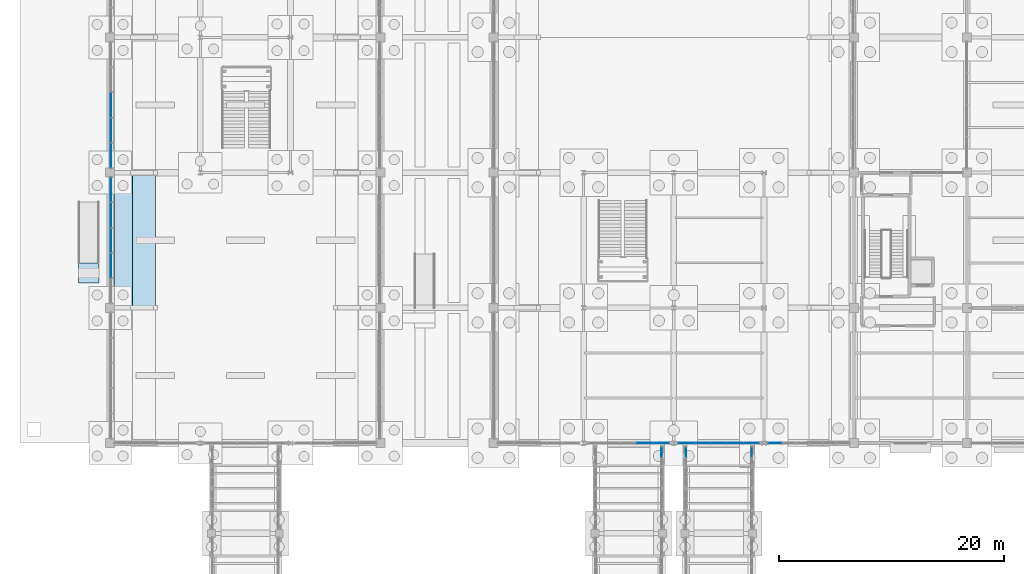
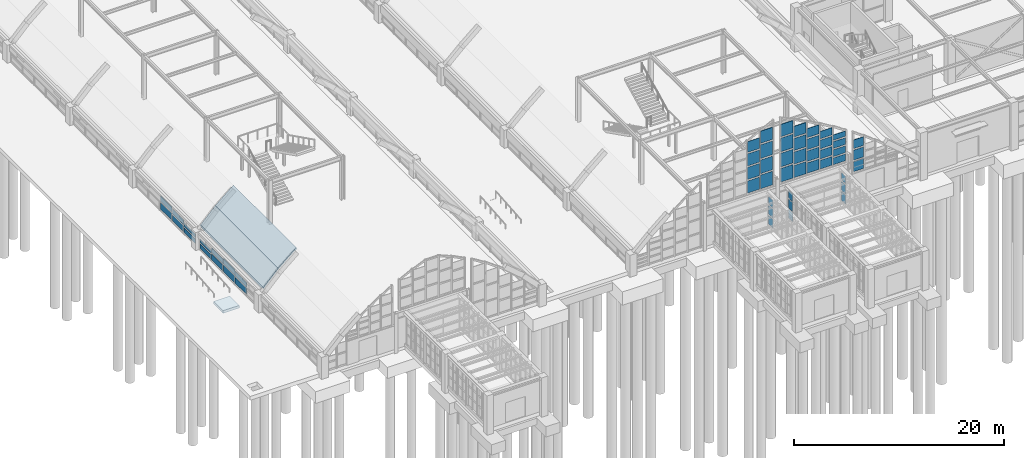
# One storey, part 83 of 129: 54 plates, 3 slabs, 9 elements without a shape of their own.
"""IFC4 building model written with IfcOpenShell, lengths in metres."""

import ifcopenshell
import ifcopenshell.guid

model = None  # the IFC model being written
_history = None  # IfcOwnerHistory: only IFC2X3 demands one
_inside = {}  # id of a spatial element -> (the spatial element, [elements in it])
_under = {}  # id of a project, library or spatial element -> (it, [spatial elements below it])
_declared = {}  # id of a project -> (the project, [libraries it declares])
_typed = {}  # id of a type object -> (the type object, [elements of that type])
_made_of = {}  # id of a material, layer set ... -> (it, [elements and type objects made of it])


def new_model(schema):
    """Start an empty IFC model of exactly this schema.

    Asked for "IFC4X3", IfcOpenShell would pick the latest addendum, in which some entities
    have other attributes; the version numbers below select the first issue.
    IFC2X3 requires an IfcOwnerHistory on every rooted entity: one is made here for all.
    """
    global model, _history
    if schema == "IFC4X3":
        model = ifcopenshell.file(schema_version=(4, 3, 0, 0))
    else:
        model = ifcopenshell.file(schema=schema)
    _inside.clear()
    _under.clear()
    _declared.clear()
    _typed.clear()
    _made_of.clear()
    _history = None
    if model.schema == "IFC2X3":
        org = make("IfcOrganization", Name="unknown")
        user = make(
            "IfcPersonAndOrganization",
            ThePerson=make("IfcPerson", FamilyName="unknown"),
            TheOrganization=org,
        )
        app = make(
            "IfcApplication",
            ApplicationDeveloper=org,
            Version="unknown",
            ApplicationFullName="unknown",
            ApplicationIdentifier="unknown",
        )
        _history = make(
            "IfcOwnerHistory",
            OwningUser=user,
            OwningApplication=app,
            ChangeAction="ADDED",
            CreationDate=0,
        )
    return model


def make(cls, **values):
    """One entity of the class cls with the attributes given. An attribute that is None is left unset."""
    return model.create_entity(
        cls, **{name: value for name, value in values.items() if value is not None}
    )


def rooted(cls, **values):
    """An entity with a GlobalId (a new one), such as an element, a storey or a relation."""
    return make(cls, GlobalId=ifcopenshell.guid.new(), OwnerHistory=_history, **values)


def si_unit(unit_type, name, prefix=None):
    """IfcSIUnit, for example si_unit("LENGTHUNIT", "METRE", prefix="MILLI")."""
    return make("IfcSIUnit", UnitType=unit_type, Prefix=prefix, Name=name)


def assignment(units):
    """IfcUnitAssignment: the units of a project."""
    return None if units is None else make("IfcUnitAssignment", Units=units)


def point(xyz):
    """IfcCartesianPoint."""
    return None if xyz is None else make("IfcCartesianPoint", Coordinates=xyz)


def direction(xyz):
    """IfcDirection."""
    return None if xyz is None else make("IfcDirection", DirectionRatios=xyz)


def frame(location, z_axis=None, x_axis=None):
    """IfcAxis2Placement3D, a coordinate frame: its origin and axes. An axis left out is left unset."""
    return make(
        "IfcAxis2Placement3D",
        Location=point(location),
        Axis=direction(z_axis),
        RefDirection=direction(x_axis),
    )


def frame_2d(location, x_axis=None):
    """IfcAxis2Placement2D, a coordinate frame in the plane: its origin and x axis."""
    return make(
        "IfcAxis2Placement2D", Location=point(location), RefDirection=direction(x_axis)
    )


def origin():
    """The frame at (0, 0, 0) with its axes left unset."""
    return frame((0.0, 0.0, 0.0))


def origin_2d():
    """The frame at (0, 0) in the plane with its x axis left unset."""
    return frame_2d((0.0, 0.0))


def place(relative_to, where):
    """IfcLocalPlacement: puts the frame where relative to a parent placement (None: the world)."""
    return make(
        "IfcLocalPlacement", PlacementRelTo=relative_to, RelativePlacement=where
    )


def context(
    kind, dimensions, precision=None, world=None, true_north=None, identifier=None
):
    """IfcGeometricRepresentationContext, for example the 3D "Model" context."""
    return make(
        "IfcGeometricRepresentationContext",
        ContextIdentifier=identifier,
        ContextType=kind,
        CoordinateSpaceDimension=dimensions,
        Precision=precision,
        WorldCoordinateSystem=world,
        TrueNorth=true_north,
    )


def subcontext(parent, identifier, kind, view, scale=None):
    """IfcGeometricRepresentationSubContext, for example "Body" below "Model"."""
    return make(
        "IfcGeometricRepresentationSubContext",
        ContextIdentifier=identifier,
        ContextType=kind,
        ParentContext=parent,
        TargetScale=scale,
        TargetView=view,
    )


def project(units=None, contexts=None):
    """IfcProject with its units and contexts."""
    return rooted(
        "IfcProject",
        Name="project",
        RepresentationContexts=contexts,
        UnitsInContext=assignment(units),
    )


def spatial(cls, under=None, at=None, **own):
    """A site, building, storey or space (cls), placed at a placement, below another one or the project."""
    s = rooted(cls, ObjectPlacement=at, **own)
    if under is not None:
        _under.setdefault(under.id(), (under, []))[1].append(s)
    return s


def polyline(points):
    """IfcPolyline through the points."""
    return make("IfcPolyline", Points=[point(p) for p in points])


def profile(cls, at=None, kind="AREA", **sizes):
    """A parametric profile (cls). Its sizes go by their IFC names, for example OverallWidth=200.0."""
    return make(cls, ProfileType=kind, Position=at, **sizes)


def rectangle(**sizes):
    """IfcRectangleProfileDef."""
    return profile("IfcRectangleProfileDef", **sizes)


def outline(outer, holes=None, kind="AREA"):
    """IfcArbitraryClosedProfileDef: a profile drawn as a closed curve; with holes, ...WithVoids."""
    if holes is None:
        return make("IfcArbitraryClosedProfileDef", ProfileType=kind, OuterCurve=outer)
    return make(
        "IfcArbitraryProfileDefWithVoids",
        ProfileType=kind,
        OuterCurve=outer,
        InnerCurves=holes,
    )


def extrude(swept, where, along, depth):
    """IfcExtrudedAreaSolid: the profile swept, set in the frame where, extruded along a direction by depth."""
    return make(
        "IfcExtrudedAreaSolid",
        SweptArea=swept,
        Position=where,
        ExtrudedDirection=direction(along),
        Depth=depth,
    )


def shape(context_of_items, identifier, shape_type, items):
    """IfcShapeRepresentation: the items that make up one representation, for example the "Body"."""
    return make(
        "IfcShapeRepresentation",
        ContextOfItems=context_of_items,
        RepresentationIdentifier=identifier,
        RepresentationType=shape_type,
        Items=items,
    )


def material(Name=None, Category=None):
    """IfcMaterial."""
    return make("IfcMaterial", Name=Name, Category=Category)


def layer(
    of_material, thickness, ventilated=None, Name=None, Category=None, Priority=None
):
    """IfcMaterialLayer: one layer of a wall or slab, of a material (None: an air gap)."""
    return make(
        "IfcMaterialLayer",
        Material=of_material,
        LayerThickness=thickness,
        IsVentilated=ventilated,
        Name=Name,
        Category=Category,
        Priority=Priority,
    )


def layer_set(layers, Name=None):
    """IfcMaterialLayerSet."""
    return make("IfcMaterialLayerSet", MaterialLayers=layers, LayerSetName=Name)


def made_of(thing, what):
    """Note that an element or type object is made of a material, layer set ...; save() writes the relation."""
    if what is not None:
        _made_of.setdefault(what.id(), (what, []))[1].append(thing)
    return thing


def type_object(cls, material=None, **own):
    """A type object (cls), such as IfcWallType, which elements share."""
    return made_of(rooted(cls, **own), material)


def element(
    cls,
    number,
    at=None,
    inside=None,
    cuts=None,
    type_object=None,
    material=None,
    context=None,
    identifier="Body",
    shape_type=None,
    held_by="IfcProductDefinitionShape",
    body=None,
    shapes=None,
    **own,
):
    """One element of the class cls, such as IfcWall. Its Tag is "e" and its number.

    at: its placement. inside: the storey or other place that contains it. cuts: it is an
    opening in that element (IfcRelVoidsElement). A single representation is given by context,
    identifier, shape_type and body (its items); several are given by shapes. held_by: the class
    of the entity that holds the representations. save() writes the other relations.
    """
    e = rooted(cls, Tag="e%d" % number, ObjectPlacement=at, **own)
    if body is not None:
        shapes = [shape(context, identifier, shape_type, body)]
    if shapes is not None:
        e.Representation = make(held_by, Representations=shapes)
    if inside is not None:
        _inside.setdefault(inside.id(), (inside, []))[1].append(e)
    if cuts is not None:
        rooted(
            "IfcRelVoidsElement", RelatingBuildingElement=cuts, RelatedOpeningElement=e
        )
    if type_object is not None:
        _typed.setdefault(type_object.id(), (type_object, []))[1].append(e)
    return made_of(e, material)


def aggregate(whole, parts):
    """IfcRelAggregates: a whole, such as a stair, and the parts it consists of."""
    return rooted("IfcRelAggregates", RelatingObject=whole, RelatedObjects=parts)


def save(model, path):
    """Write the relations noted so far, then the file.

    IfcRelAggregates (storeys below a building ...), IfcRelContainedInSpatialStructure (elements
    in a storey), IfcRelDefinesByType, IfcRelAssociatesMaterial and IfcRelDeclares: one each for
    every whole, place, type object, material and project.
    """
    for whole, parts in _under.values():
        aggregate(whole, parts)
    for where, things in _inside.values():
        rooted(
            "IfcRelContainedInSpatialStructure",
            RelatedElements=things,
            RelatingStructure=where,
        )
    for kind, things in _typed.values():
        rooted("IfcRelDefinesByType", RelatedObjects=things, RelatingType=kind)
    for what, things in _made_of.values():
        rooted("IfcRelAssociatesMaterial", RelatedObjects=things, RelatingMaterial=what)
    for by, libraries in _declared.values():
        rooted("IfcRelDeclares", RelatingContext=by, RelatedDefinitions=libraries)
    model.write(path)


model = new_model("IFC4")

# Units and contexts
model_context = context("Model", 3, precision=1e-05, world=origin(), true_north=direction((0.0, 1.0)))
body_context = subcontext(model_context, "Body", "Model", "MODEL_VIEW")
ifc_project = project(units=[si_unit("LENGTHUNIT", "METRE"), si_unit("AREAUNIT", "SQUARE_METRE"), si_unit("VOLUMEUNIT", "CUBIC_METRE"), si_unit("PLANEANGLEUNIT", "RADIAN"), si_unit("MASSUNIT", "GRAM", prefix="KILO")], contexts=[model_context])

# Site, building, storey
site_placement = place(None, origin())
site = spatial("IfcSite", under=ifc_project, at=site_placement, CompositionType="ELEMENT")
building_placement = place(site_placement, origin())
building = spatial("IfcBuilding", under=site, at=building_placement, Name="Sitalva Quay Ferry Terminal", CompositionType="ELEMENT")
storey_placement = place(building_placement, origin())
storey = spatial("IfcBuildingStorey", under=building, at=storey_placement, Name="L01", CompositionType="ELEMENT", Elevation=0.0)

# Curtain wall, plates
ifc_material_1 = material(Name="Anodised Aluminium & Low-E Glazing", Category="aluminium")
ifc_layer_1 = layer(ifc_material_1, 0.159912109375)
ifc_layer_set_1 = layer_set([ifc_layer_1], Name="Anodised Aluminium & Low-E Glazing")
curtain_wall_type_1 = type_object("IfcCurtainWallType", Name="CW_VaultArch_Glazed", PredefinedType="USERDEFINED", material=ifc_layer_set_1)
curtain_wall_1_placement = place(storey_placement, origin())
curtain_wall_1 = element("IfcCurtainWall", 1, at=curtain_wall_1_placement, inside=storey, type_object=curtain_wall_type_1, Name="V2-W shallow-arch base glazing (CW-L01-015)", ObjectType="CURTAIN_WALL", PredefinedType="USERDEFINED")
ifc_material_2 = material(Name="Clear Low-Iron Arch Glazing", Category="glass")
ifc_layer_2 = layer(ifc_material_2, 0.02587890625)
ifc_layer_set_2 = layer_set([ifc_layer_2], Name="Clear Low-Iron Arch Glazing")
plate_type_1 = type_object("IfcPlateType", Name="Panel_Arch_IGU_26", PredefinedType="CURTAIN_PANEL", material=ifc_layer_set_2)
plate_1_placement = place(storey_placement, frame((8.080078125, 21.760009765625, 0.1552734375), z_axis=(0.0, 0.0, 1.0), x_axis=(0.0, 1.0, 0.0)))
plate_1 = element("IfcPlate", 2, at=plate_1_placement, type_object=plate_type_1, Name="CW-L01-015-P1-0", PredefinedType="CURTAIN_PANEL", context=body_context, shape_type="SweptSolid", body=[
    extrude(rectangle(XDim=2.169921875, YDim=0.02587890625, at=origin_2d()), origin(), (0.0, 0.0, 1.0), 0.698486328125),
])
plate_2_placement = place(storey_placement, frame((8.080078125, 21.760009765625, 1.0087890625), z_axis=(0.0, 0.0, 1.0), x_axis=(0.0, 1.0, 0.0)))
plate_2 = element("IfcPlate", 3, at=plate_2_placement, type_object=plate_type_1, Name="CW-L01-015-P1-1", PredefinedType="CURTAIN_PANEL", context=body_context, shape_type="SweptSolid", body=[
    extrude(rectangle(XDim=2.169921875, YDim=0.02587890625, at=origin_2d()), origin(), (0.0, 0.0, 1.0), 0.543701171875),
])
plate_3_placement = place(storey_placement, frame((8.080078125, 24.0, 0.155029296875), z_axis=(0.0, 0.0, 1.0), x_axis=(0.0, 1.0, 0.0)))
plate_3 = element("IfcPlate", 4, at=plate_3_placement, type_object=plate_type_1, Name="CW-L01-015-P2-0", PredefinedType="CURTAIN_PANEL", context=body_context, shape_type="SweptSolid", body=[
    extrude(rectangle(XDim=2.169921875, YDim=0.02587890625, at=origin_2d()), origin(), (0.0, 0.0, 1.0), 0.775390625),
])
plate_4_placement = place(storey_placement, frame((8.080078125, 24.0, 1.08544921875), z_axis=(0.0, 0.0, 1.0), x_axis=(0.0, 1.0, 0.0)))
plate_4 = element("IfcPlate", 5, at=plate_4_placement, type_object=plate_type_1, Name="CW-L01-015-P2-1", PredefinedType="CURTAIN_PANEL", context=body_context, shape_type="SweptSolid", body=[
    extrude(rectangle(XDim=2.169921875, YDim=0.02587890625, at=origin_2d()), origin(), (0.0, 0.0, 1.0), 0.620361328125),
])
plate_5_placement = place(storey_placement, frame((8.080078125, 26.239990234375, 0.1552734375), z_axis=(0.0, 0.0, 1.0), x_axis=(0.0, 1.0, 0.0)))
plate_5 = element("IfcPlate", 6, at=plate_5_placement, type_object=plate_type_1, Name="CW-L01-015-P3-0", PredefinedType="CURTAIN_PANEL", context=body_context, shape_type="SweptSolid", body=[
    extrude(rectangle(XDim=2.169921875, YDim=0.02587890625, at=origin_2d()), origin(), (0.0, 0.0, 1.0), 0.698486328125),
])
plate_6_placement = place(storey_placement, frame((8.080078125, 26.239990234375, 1.0087890625), z_axis=(0.0, 0.0, 1.0), x_axis=(0.0, 1.0, 0.0)))
plate_6 = element("IfcPlate", 7, at=plate_6_placement, type_object=plate_type_1, Name="CW-L01-015-P3-1", PredefinedType="CURTAIN_PANEL", context=body_context, shape_type="SweptSolid", body=[
    extrude(rectangle(XDim=2.169921875, YDim=0.02587890625, at=origin_2d()), origin(), (0.0, 0.0, 1.0), 0.543701171875),
])
plate_7_placement = place(storey_placement, frame((8.080078125, 28.47998046875, 0.155029296875), z_axis=(0.0, 0.0, 1.0), x_axis=(0.0, 1.0, 0.0)))
plate_7 = element("IfcPlate", 8, at=plate_7_placement, type_object=plate_type_1, Name="CW-L01-015-P4-0", PredefinedType="CURTAIN_PANEL", context=body_context, shape_type="SweptSolid", body=[
    extrude(rectangle(XDim=2.169921875, YDim=0.02587890625, at=origin_2d()), origin(), (0.0, 0.0, 1.0), 0.544921875),
])
plate_8_placement = place(storey_placement, frame((8.080078125, 28.47998046875, 0.85498046875), z_axis=(0.0, 0.0, 1.0), x_axis=(0.0, 1.0, 0.0)))
plate_8 = element("IfcPlate", 9, at=plate_8_placement, type_object=plate_type_1, Name="CW-L01-015-P4-1", PredefinedType="CURTAIN_PANEL", context=body_context, shape_type="SweptSolid", body=[
    extrude(rectangle(XDim=2.169921875, YDim=0.02587890625, at=origin_2d()), origin(), (0.0, 0.0, 1.0), 0.389892578125),
])
aggregate(curtain_wall_1, [plate_1, plate_2, plate_3, plate_4, plate_5, plate_6, plate_7, plate_8])

curtain_wall_2_placement = place(storey_placement, origin())
curtain_wall_2 = element("IfcCurtainWall", 10, at=curtain_wall_2_placement, inside=storey, type_object=curtain_wall_type_1, Name="V2-W shallow-arch base glazing (CW-L01-018)", ObjectType="CURTAIN_WALL", PredefinedType="USERDEFINED")
plate_9_placement = place(storey_placement, frame((8.080078125, 31.52001953125, 0.155029296875), z_axis=(0.0, 0.0, 1.0), x_axis=(0.0, 1.0, 0.0)))
plate_9 = element("IfcPlate", 11, at=plate_9_placement, type_object=plate_type_1, Name="CW-L01-018-P0-0", PredefinedType="CURTAIN_PANEL", context=body_context, shape_type="SweptSolid", body=[
    extrude(rectangle(XDim=2.169921875, YDim=0.02587890625, at=origin_2d()), origin(), (0.0, 0.0, 1.0), 0.544921875),
])
plate_10_placement = place(storey_placement, frame((8.080078125, 31.52001953125, 0.85498046875), z_axis=(0.0, 0.0, 1.0), x_axis=(0.0, 1.0, 0.0)))
plate_10 = element("IfcPlate", 12, at=plate_10_placement, type_object=plate_type_1, Name="CW-L01-018-P0-1", PredefinedType="CURTAIN_PANEL", context=body_context, shape_type="SweptSolid", body=[
    extrude(rectangle(XDim=2.169921875, YDim=0.02587890625, at=origin_2d()), origin(), (0.0, 0.0, 1.0), 0.389892578125),
])
plate_11_placement = place(storey_placement, frame((8.080078125, 33.760009765625, 0.1552734375), z_axis=(0.0, 0.0, 1.0), x_axis=(0.0, 1.0, 0.0)))
plate_11 = element("IfcPlate", 13, at=plate_11_placement, type_object=plate_type_1, Name="CW-L01-018-P1-0", PredefinedType="CURTAIN_PANEL", context=body_context, shape_type="SweptSolid", body=[
    extrude(rectangle(XDim=2.169921875, YDim=0.02587890625, at=origin_2d()), origin(), (0.0, 0.0, 1.0), 0.698486328125),
])
plate_12_placement = place(storey_placement, frame((8.080078125, 33.760009765625, 1.0087890625), z_axis=(0.0, 0.0, 1.0), x_axis=(0.0, 1.0, 0.0)))
plate_12 = element("IfcPlate", 14, at=plate_12_placement, type_object=plate_type_1, Name="CW-L01-018-P1-1", PredefinedType="CURTAIN_PANEL", context=body_context, shape_type="SweptSolid", body=[
    extrude(rectangle(XDim=2.169921875, YDim=0.02587890625, at=origin_2d()), origin(), (0.0, 0.0, 1.0), 0.543701171875),
])
plate_13_placement = place(storey_placement, frame((8.080078125, 36.0, 0.155029296875), z_axis=(0.0, 0.0, 1.0), x_axis=(0.0, 1.0, 0.0)))
plate_13 = element("IfcPlate", 15, at=plate_13_placement, type_object=plate_type_1, Name="CW-L01-018-P2-0", PredefinedType="CURTAIN_PANEL", context=body_context, shape_type="SweptSolid", body=[
    extrude(rectangle(XDim=2.169921875, YDim=0.02587890625, at=origin_2d()), origin(), (0.0, 0.0, 1.0), 0.775390625),
])
plate_14_placement = place(storey_placement, frame((8.080078125, 36.0, 1.08544921875), z_axis=(0.0, 0.0, 1.0), x_axis=(0.0, 1.0, 0.0)))
plate_14 = element("IfcPlate", 16, at=plate_14_placement, type_object=plate_type_1, Name="CW-L01-018-P2-1", PredefinedType="CURTAIN_PANEL", context=body_context, shape_type="SweptSolid", body=[
    extrude(rectangle(XDim=2.169921875, YDim=0.02587890625, at=origin_2d()), origin(), (0.0, 0.0, 1.0), 0.620361328125),
])
aggregate(curtain_wall_2, [plate_9, plate_10, plate_11, plate_12, plate_13, plate_14])

ifc_material_3 = material(Name="Anodised Aluminium & Low-E Glazing", Category="aluminium")
ifc_layer_3 = layer(ifc_material_3, 0.159912109375)
ifc_layer_set_3 = layer_set([ifc_layer_3], Name="Anodised Aluminium & Low-E Glazing")
curtain_wall_type_2 = type_object("IfcCurtainWallType", Name="CW_Gable_Unitised", PredefinedType="USERDEFINED", material=ifc_layer_set_3)
curtain_wall_3_placement = place(storey_placement, origin())
curtain_wall_3 = element("IfcCurtainWall", 17, at=curtain_wall_3_placement, inside=storey, type_object=curtain_wall_type_2, Name="V1 south gable west-apex pointed glazing (CW-L01-006)", ObjectType="CURTAIN_WALL", PredefinedType="USERDEFINED")
ifc_material_4 = material(Name="Acoustic Laminated Marine Glazing", Category="glass")
ifc_layer_4 = layer(ifc_material_4, 0.033935546875)
ifc_layer_set_4 = layer_set([ifc_layer_4], Name="Acoustic Laminated Marine Glazing")
plate_type_2 = type_object("IfcPlateType", Name="Panel_Marine_IGU_34", PredefinedType="CURTAIN_PANEL", material=ifc_layer_set_4)
plate_15_placement = place(storey_placement, frame((55.43994140625, 6.0, 4.514892578125), z_axis=(0.0, 0.0, 1.0), x_axis=(1.0, 0.0, 0.0)))
plate_15 = element("IfcPlate", 18, at=plate_15_placement, type_object=plate_type_2, Name="CW-L01-006-P3-0", PredefinedType="CURTAIN_PANEL", context=body_context, shape_type="SweptSolid", body=[
    extrude(rectangle(XDim=1.35009765625, YDim=0.033935546875, at=origin_2d()), origin(), (0.0, 0.0, 1.0), 1.4150390625),
])
plate_16_placement = place(storey_placement, frame((55.43994140625, 6.0, 6.094970703125), z_axis=(0.0, 0.0, 1.0), x_axis=(1.0, 0.0, 0.0)))
plate_16 = element("IfcPlate", 19, at=plate_16_placement, type_object=plate_type_2, Name="CW-L01-006-P3-1", PredefinedType="CURTAIN_PANEL", context=body_context, shape_type="SweptSolid", body=[
    extrude(rectangle(XDim=1.35009765625, YDim=0.033935546875, at=origin_2d()), origin(), (0.0, 0.0, 1.0), 1.4150390625),
])
plate_17_placement = place(storey_placement, frame((55.43994140625, 6.0, 7.675048828125), z_axis=(0.0, 0.0, 1.0), x_axis=(1.0, 0.0, 0.0)))
plate_17 = element("IfcPlate", 20, at=plate_17_placement, type_object=plate_type_2, Name="CW-L01-006-P3-2", PredefinedType="CURTAIN_PANEL", context=body_context, shape_type="SweptSolid", body=[
    extrude(rectangle(XDim=1.35009765625, YDim=0.033935546875, at=origin_2d()), origin(), (0.0, 0.0, 1.0), 1.4150390625),
])
plate_18_placement = place(storey_placement, frame((55.43994140625, 6.0, 9.255126953125), z_axis=(0.0, 0.0, 1.0), x_axis=(1.0, 0.0, 0.0)))
plate_18 = element("IfcPlate", 21, at=plate_18_placement, type_object=plate_type_2, Name="CW-L01-006-P3-3", PredefinedType="CURTAIN_PANEL", context=body_context, shape_type="SweptSolid", body=[
    extrude(rectangle(XDim=1.35009765625, YDim=0.033935546875, at=origin_2d()), origin(), (0.0, 0.0, 1.0), 1.25),
])
plate_19_placement = place(storey_placement, frame((56.8798828125, 6.0, 4.51513671875), z_axis=(0.0, 0.0, 1.0), x_axis=(1.0, 0.0, 0.0)))
plate_19 = element("IfcPlate", 22, at=plate_19_placement, type_object=plate_type_2, Name="CW-L01-006-P4-0", PredefinedType="CURTAIN_PANEL", context=body_context, shape_type="SweptSolid", body=[
    extrude(rectangle(XDim=1.35009765625, YDim=0.033935546875, at=origin_2d()), origin(), (0.0, 0.0, 1.0), 1.597900390625),
])
plate_20_placement = place(storey_placement, frame((56.8798828125, 6.0, 6.27783203125), z_axis=(0.0, 0.0, 1.0), x_axis=(1.0, 0.0, 0.0)))
plate_20 = element("IfcPlate", 23, at=plate_20_placement, type_object=plate_type_2, Name="CW-L01-006-P4-1", PredefinedType="CURTAIN_PANEL", context=body_context, shape_type="SweptSolid", body=[
    extrude(rectangle(XDim=1.35009765625, YDim=0.033935546875, at=origin_2d()), origin(), (0.0, 0.0, 1.0), 1.597900390625),
])
plate_21_placement = place(storey_placement, frame((56.8798828125, 6.0, 8.041015625), z_axis=(0.0, 0.0, 1.0), x_axis=(1.0, 0.0, 0.0)))
plate_21 = element("IfcPlate", 24, at=plate_21_placement, type_object=plate_type_2, Name="CW-L01-006-P4-2", PredefinedType="CURTAIN_PANEL", context=body_context, shape_type="SweptSolid", body=[
    extrude(rectangle(XDim=1.35009765625, YDim=0.033935546875, at=origin_2d()), origin(), (0.0, 0.0, 1.0), 1.597900390625),
])
plate_22_placement = place(storey_placement, frame((56.8798828125, 6.0, 9.8037109375), z_axis=(0.0, 0.0, 1.0), x_axis=(1.0, 0.0, 0.0)))
plate_22 = element("IfcPlate", 25, at=plate_22_placement, type_object=plate_type_2, Name="CW-L01-006-P4-3", PredefinedType="CURTAIN_PANEL", context=body_context, shape_type="SweptSolid", body=[
    extrude(rectangle(XDim=1.35009765625, YDim=0.033935546875, at=origin_2d()), origin(), (0.0, 0.0, 1.0), 1.432861328125),
])
aggregate(curtain_wall_3, [plate_15, plate_16, plate_17, plate_18, plate_19, plate_20, plate_21, plate_22])

curtain_wall_4_placement = place(storey_placement, origin())
curtain_wall_4 = element("IfcCurtainWall", 26, at=curtain_wall_4_placement, inside=storey, type_object=curtain_wall_type_2, Name="V1 south gable east-apex pointed glazing (CW-L01-007)", ObjectType="CURTAIN_WALL", PredefinedType="USERDEFINED")
plate_23_placement = place(storey_placement, frame((59.1201171875, 6.0, 4.51513671875), z_axis=(0.0, 0.0, 1.0), x_axis=(1.0, 0.0, 0.0)))
plate_23 = element("IfcPlate", 27, at=plate_23_placement, type_object=plate_type_2, Name="CW-L01-007-P0-0", PredefinedType="CURTAIN_PANEL", context=body_context, shape_type="SweptSolid", body=[
    extrude(rectangle(XDim=1.35009765625, YDim=0.033935546875, at=origin_2d()), origin(), (0.0, 0.0, 1.0), 1.597900390625),
])
plate_24_placement = place(storey_placement, frame((59.1201171875, 6.0, 6.27783203125), z_axis=(0.0, 0.0, 1.0), x_axis=(1.0, 0.0, 0.0)))
plate_24 = element("IfcPlate", 28, at=plate_24_placement, type_object=plate_type_2, Name="CW-L01-007-P0-1", PredefinedType="CURTAIN_PANEL", context=body_context, shape_type="SweptSolid", body=[
    extrude(rectangle(XDim=1.35009765625, YDim=0.033935546875, at=origin_2d()), origin(), (0.0, 0.0, 1.0), 1.597900390625),
])
plate_25_placement = place(storey_placement, frame((59.1201171875, 6.0, 8.041015625), z_axis=(0.0, 0.0, 1.0), x_axis=(1.0, 0.0, 0.0)))
plate_25 = element("IfcPlate", 29, at=plate_25_placement, type_object=plate_type_2, Name="CW-L01-007-P0-2", PredefinedType="CURTAIN_PANEL", context=body_context, shape_type="SweptSolid", body=[
    extrude(rectangle(XDim=1.35009765625, YDim=0.033935546875, at=origin_2d()), origin(), (0.0, 0.0, 1.0), 1.597900390625),
])
plate_26_placement = place(storey_placement, frame((59.1201171875, 6.0, 9.8037109375), z_axis=(0.0, 0.0, 1.0), x_axis=(1.0, 0.0, 0.0)))
plate_26 = element("IfcPlate", 30, at=plate_26_placement, type_object=plate_type_2, Name="CW-L01-007-P0-3", PredefinedType="CURTAIN_PANEL", context=body_context, shape_type="SweptSolid", body=[
    extrude(rectangle(XDim=1.35009765625, YDim=0.033935546875, at=origin_2d()), origin(), (0.0, 0.0, 1.0), 1.432861328125),
])
plate_27_placement = place(storey_placement, frame((60.56005859375, 6.0, 4.514892578125), z_axis=(0.0, 0.0, 1.0), x_axis=(1.0, 0.0, 0.0)))
plate_27 = element("IfcPlate", 31, at=plate_27_placement, type_object=plate_type_2, Name="CW-L01-007-P1-0", PredefinedType="CURTAIN_PANEL", context=body_context, shape_type="SweptSolid", body=[
    extrude(rectangle(XDim=1.35009765625, YDim=0.033935546875, at=origin_2d()), origin(), (0.0, 0.0, 1.0), 1.4150390625),
])
plate_28_placement = place(storey_placement, frame((60.56005859375, 6.0, 6.094970703125), z_axis=(0.0, 0.0, 1.0), x_axis=(1.0, 0.0, 0.0)))
plate_28 = element("IfcPlate", 32, at=plate_28_placement, type_object=plate_type_2, Name="CW-L01-007-P1-1", PredefinedType="CURTAIN_PANEL", context=body_context, shape_type="SweptSolid", body=[
    extrude(rectangle(XDim=1.35009765625, YDim=0.033935546875, at=origin_2d()), origin(), (0.0, 0.0, 1.0), 1.4150390625),
])
plate_29_placement = place(storey_placement, frame((60.56005859375, 6.0, 7.675048828125), z_axis=(0.0, 0.0, 1.0), x_axis=(1.0, 0.0, 0.0)))
plate_29 = element("IfcPlate", 33, at=plate_29_placement, type_object=plate_type_2, Name="CW-L01-007-P1-2", PredefinedType="CURTAIN_PANEL", context=body_context, shape_type="SweptSolid", body=[
    extrude(rectangle(XDim=1.35009765625, YDim=0.033935546875, at=origin_2d()), origin(), (0.0, 0.0, 1.0), 1.4150390625),
])
plate_30_placement = place(storey_placement, frame((60.56005859375, 6.0, 9.255126953125), z_axis=(0.0, 0.0, 1.0), x_axis=(1.0, 0.0, 0.0)))
plate_30 = element("IfcPlate", 34, at=plate_30_placement, type_object=plate_type_2, Name="CW-L01-007-P1-3", PredefinedType="CURTAIN_PANEL", context=body_context, shape_type="SweptSolid", body=[
    extrude(rectangle(XDim=1.35009765625, YDim=0.033935546875, at=origin_2d()), origin(), (0.0, 0.0, 1.0), 1.25),
])
plate_31_placement = place(storey_placement, frame((62.0, 6.0, 4.51513671875), z_axis=(0.0, 0.0, 1.0), x_axis=(1.0, 0.0, 0.0)))
plate_31 = element("IfcPlate", 35, at=plate_31_placement, type_object=plate_type_2, Name="CW-L01-007-P2-0", PredefinedType="CURTAIN_PANEL", context=body_context, shape_type="SweptSolid", body=[
    extrude(rectangle(XDim=1.35009765625, YDim=0.033935546875, at=origin_2d()), origin(), (0.0, 0.0, 1.0), 1.2197265625),
])
plate_32_placement = place(storey_placement, frame((62.0, 6.0, 5.89990234375), z_axis=(0.0, 0.0, 1.0), x_axis=(1.0, 0.0, 0.0)))
plate_32 = element("IfcPlate", 36, at=plate_32_placement, type_object=plate_type_2, Name="CW-L01-007-P2-1", PredefinedType="CURTAIN_PANEL", context=body_context, shape_type="SweptSolid", body=[
    extrude(rectangle(XDim=1.35009765625, YDim=0.033935546875, at=origin_2d()), origin(), (0.0, 0.0, 1.0), 1.2197265625),
])
plate_33_placement = place(storey_placement, frame((62.0, 6.0, 7.28466796875), z_axis=(0.0, 0.0, 1.0), x_axis=(1.0, 0.0, 0.0)))
plate_33 = element("IfcPlate", 37, at=plate_33_placement, type_object=plate_type_2, Name="CW-L01-007-P2-2", PredefinedType="CURTAIN_PANEL", context=body_context, shape_type="SweptSolid", body=[
    extrude(rectangle(XDim=1.35009765625, YDim=0.033935546875, at=origin_2d()), origin(), (0.0, 0.0, 1.0), 1.2197265625),
])
plate_34_placement = place(storey_placement, frame((62.0, 6.0, 8.66943359375), z_axis=(0.0, 0.0, 1.0), x_axis=(1.0, 0.0, 0.0)))
plate_34 = element("IfcPlate", 38, at=plate_34_placement, type_object=plate_type_2, Name="CW-L01-007-P2-3", PredefinedType="CURTAIN_PANEL", context=body_context, shape_type="SweptSolid", body=[
    extrude(rectangle(XDim=1.35009765625, YDim=0.033935546875, at=origin_2d()), origin(), (0.0, 0.0, 1.0), 1.0546875),
])
plate_35_placement = place(storey_placement, frame((63.43994140625, 6.0, 4.51513671875), z_axis=(0.0, 0.0, 1.0), x_axis=(1.0, 0.0, 0.0)))
plate_35 = element("IfcPlate", 39, at=plate_35_placement, type_object=plate_type_2, Name="CW-L01-007-P3-0", PredefinedType="CURTAIN_PANEL", context=body_context, shape_type="SweptSolid", body=[
    extrude(rectangle(XDim=1.35009765625, YDim=0.033935546875, at=origin_2d()), origin(), (0.0, 0.0, 1.0), 1.011962890625),
])
plate_36_placement = place(storey_placement, frame((63.43994140625, 6.0, 5.69189453125), z_axis=(0.0, 0.0, 1.0), x_axis=(1.0, 0.0, 0.0)))
plate_36 = element("IfcPlate", 40, at=plate_36_placement, type_object=plate_type_2, Name="CW-L01-007-P3-1", PredefinedType="CURTAIN_PANEL", context=body_context, shape_type="SweptSolid", body=[
    extrude(rectangle(XDim=1.35009765625, YDim=0.033935546875, at=origin_2d()), origin(), (0.0, 0.0, 1.0), 1.011962890625),
])
plate_37_placement = place(storey_placement, frame((63.43994140625, 6.0, 6.86865234375), z_axis=(0.0, 0.0, 1.0), x_axis=(1.0, 0.0, 0.0)))
plate_37 = element("IfcPlate", 41, at=plate_37_placement, type_object=plate_type_2, Name="CW-L01-007-P3-2", PredefinedType="CURTAIN_PANEL", context=body_context, shape_type="SweptSolid", body=[
    extrude(rectangle(XDim=1.35009765625, YDim=0.033935546875, at=origin_2d()), origin(), (0.0, 0.0, 1.0), 1.011962890625),
])
plate_38_placement = place(storey_placement, frame((63.43994140625, 6.0, 8.0458984375), z_axis=(0.0, 0.0, 1.0), x_axis=(1.0, 0.0, 0.0)))
plate_38 = element("IfcPlate", 42, at=plate_38_placement, type_object=plate_type_2, Name="CW-L01-007-P3-3", PredefinedType="CURTAIN_PANEL", context=body_context, shape_type="SweptSolid", body=[
    extrude(rectangle(XDim=1.35009765625, YDim=0.033935546875, at=origin_2d()), origin(), (0.0, 0.0, 1.0), 0.846923828125),
])
plate_39_placement = place(storey_placement, frame((64.8798828125, 6.0, 4.51513671875), z_axis=(0.0, 0.0, 1.0), x_axis=(1.0, 0.0, 0.0)))
plate_39 = element("IfcPlate", 43, at=plate_39_placement, type_object=plate_type_2, Name="CW-L01-007-P4-0", PredefinedType="CURTAIN_PANEL", context=body_context, shape_type="SweptSolid", body=[
    extrude(rectangle(XDim=1.35009765625, YDim=0.033935546875, at=origin_2d()), origin(), (0.0, 0.0, 1.0), 0.784423828125),
])
plate_40_placement = place(storey_placement, frame((64.8798828125, 6.0, 5.46435546875), z_axis=(0.0, 0.0, 1.0), x_axis=(1.0, 0.0, 0.0)))
plate_40 = element("IfcPlate", 44, at=plate_40_placement, type_object=plate_type_2, Name="CW-L01-007-P4-1", PredefinedType="CURTAIN_PANEL", context=body_context, shape_type="SweptSolid", body=[
    extrude(rectangle(XDim=1.35009765625, YDim=0.033935546875, at=origin_2d()), origin(), (0.0, 0.0, 1.0), 0.784423828125),
])
plate_41_placement = place(storey_placement, frame((64.8798828125, 6.0, 6.4140625), z_axis=(0.0, 0.0, 1.0), x_axis=(1.0, 0.0, 0.0)))
plate_41 = element("IfcPlate", 45, at=plate_41_placement, type_object=plate_type_2, Name="CW-L01-007-P4-2", PredefinedType="CURTAIN_PANEL", context=body_context, shape_type="SweptSolid", body=[
    extrude(rectangle(XDim=1.35009765625, YDim=0.033935546875, at=origin_2d()), origin(), (0.0, 0.0, 1.0), 0.784423828125),
])
plate_42_placement = place(storey_placement, frame((64.8798828125, 6.0, 7.363525390625), z_axis=(0.0, 0.0, 1.0), x_axis=(1.0, 0.0, 0.0)))
plate_42 = element("IfcPlate", 46, at=plate_42_placement, type_object=plate_type_2, Name="CW-L01-007-P4-3", PredefinedType="CURTAIN_PANEL", context=body_context, shape_type="SweptSolid", body=[
    extrude(rectangle(XDim=1.35009765625, YDim=0.033935546875, at=origin_2d()), origin(), (0.0, 0.0, 1.0), 0.61962890625),
])
aggregate(curtain_wall_4, [plate_23, plate_24, plate_25, plate_26, plate_27, plate_28, plate_29, plate_30, plate_31, plate_32, plate_33, plate_34, plate_35, plate_36, plate_37, plate_38, plate_39, plate_40, plate_41, plate_42])

curtain_wall_5_placement = place(storey_placement, origin())
curtain_wall_5 = element("IfcCurtainWall", 47, at=curtain_wall_5_placement, inside=storey, type_object=curtain_wall_type_2, Name="V1 south gable east pointed glazing (CW-L01-008)", ObjectType="CURTAIN_WALL", PredefinedType="USERDEFINED")
plate_43_placement = place(storey_placement, frame((67.0, 6.0, 2.9150390625), z_axis=(0.0, 0.0, 1.0), x_axis=(1.0, 0.0, 0.0)))
plate_43 = element("IfcPlate", 48, at=plate_43_placement, type_object=plate_type_2, Name="CW-L01-008-P0-0", PredefinedType="CURTAIN_PANEL", context=body_context, shape_type="SweptSolid", body=[
    extrude(rectangle(XDim=1.110107421875, YDim=0.033935546875, at=origin_2d()), origin(), (0.0, 0.0, 1.0), 1.177734375),
])
plate_44_placement = place(storey_placement, frame((67.0, 6.0, 4.257568359375), z_axis=(0.0, 0.0, 1.0), x_axis=(1.0, 0.0, 0.0)))
plate_44 = element("IfcPlate", 49, at=plate_44_placement, type_object=plate_type_2, Name="CW-L01-008-P0-1", PredefinedType="CURTAIN_PANEL", context=body_context, shape_type="SweptSolid", body=[
    extrude(rectangle(XDim=1.110107421875, YDim=0.033935546875, at=origin_2d()), origin(), (0.0, 0.0, 1.0), 1.177734375),
])
plate_45_placement = place(storey_placement, frame((67.0, 6.0, 5.600341796875), z_axis=(0.0, 0.0, 1.0), x_axis=(1.0, 0.0, 0.0)))
plate_45 = element("IfcPlate", 50, at=plate_45_placement, type_object=plate_type_2, Name="CW-L01-008-P0-2", PredefinedType="CURTAIN_PANEL", context=body_context, shape_type="SweptSolid", body=[
    extrude(rectangle(XDim=1.110107421875, YDim=0.033935546875, at=origin_2d()), origin(), (0.0, 0.0, 1.0), 1.0126953125),
])
aggregate(curtain_wall_5, [plate_43, plate_44, plate_45])

ifc_material_5 = material(Name="Anodised Aluminium & Low-E Glazing", Category="aluminium")
ifc_layer_5 = layer(ifc_material_5, 0.159912109375)
ifc_layer_set_5 = layer_set([ifc_layer_5], Name="Anodised Aluminium & Low-E Glazing")
curtain_wall_type_3 = type_object("IfcCurtainWallType", Name="CW_Bridge_Glazed", PredefinedType="USERDEFINED", material=ifc_layer_set_5)
curtain_wall_6_placement = place(storey_placement, origin())
curtain_wall_6 = element("IfcCurtainWall", 51, at=curtain_wall_6_placement, inside=storey, type_object=curtain_wall_type_3, Name="Boarding bridge BB2 E4 side glazing (CW-L01-048)", ObjectType="CURTAIN_WALL", PredefinedType="USERDEFINED")
plate_46_placement = place(storey_placement, frame((56.919921875, 5.206298828125, 0.39990234375), z_axis=(0.0, 0.0, 1.0), x_axis=(0.0, 1.0, 0.0)))
plate_46 = element("IfcPlate", 52, at=plate_46_placement, type_object=plate_type_2, Name="CW-L01-048-P3-0", PredefinedType="CURTAIN_PANEL", context=body_context, shape_type="SweptSolid", body=[
    extrude(rectangle(XDim=0.8076171875, YDim=0.033935546875, at=origin_2d()), origin(), (0.0, 0.0, 1.0), 1.026611328125),
])
plate_47_placement = place(storey_placement, frame((56.919921875, 5.206298828125, 1.57666015625), z_axis=(0.0, 0.0, 1.0), x_axis=(0.0, 1.0, 0.0)))
plate_47 = element("IfcPlate", 53, at=plate_47_placement, type_object=plate_type_2, Name="CW-L01-048-P3-1", PredefinedType="CURTAIN_PANEL", context=body_context, shape_type="SweptSolid", body=[
    extrude(rectangle(XDim=0.8076171875, YDim=0.033935546875, at=origin_2d()), origin(), (0.0, 0.0, 1.0), 1.026611328125),
])
plate_48_placement = place(storey_placement, frame((56.919921875, 5.206298828125, 2.75341796875), z_axis=(0.0, 0.0, 1.0), x_axis=(0.0, 1.0, 0.0)))
plate_48 = element("IfcPlate", 54, at=plate_48_placement, type_object=plate_type_2, Name="CW-L01-048-P3-2", PredefinedType="CURTAIN_PANEL", context=body_context, shape_type="SweptSolid", body=[
    extrude(rectangle(XDim=0.8076171875, YDim=0.033935546875, at=origin_2d()), origin(), (0.0, 0.0, 1.0), 0.876708984375),
])
aggregate(curtain_wall_6, [plate_46, plate_47, plate_48])

curtain_wall_7_placement = place(storey_placement, origin())
curtain_wall_7 = element("IfcCurtainWall", 55, at=curtain_wall_7_placement, inside=storey, type_object=curtain_wall_type_3, Name="Boarding bridge BB3 W4 side glazing (CW-L01-052)", ObjectType="CURTAIN_WALL", PredefinedType="USERDEFINED")
plate_49_placement = place(storey_placement, frame((59.080078125, 5.206298828125, 0.39990234375), z_axis=(0.0, 0.0, 1.0), x_axis=(0.0, 1.0, 0.0)))
plate_49 = element("IfcPlate", 56, at=plate_49_placement, type_object=plate_type_2, Name="CW-L01-052-P3-0", PredefinedType="CURTAIN_PANEL", context=body_context, shape_type="SweptSolid", body=[
    extrude(rectangle(XDim=0.8076171875, YDim=0.033935546875, at=origin_2d()), origin(), (0.0, 0.0, 1.0), 1.026611328125),
])
plate_50_placement = place(storey_placement, frame((59.080078125, 5.206298828125, 1.57666015625), z_axis=(0.0, 0.0, 1.0), x_axis=(0.0, 1.0, 0.0)))
plate_50 = element("IfcPlate", 57, at=plate_50_placement, type_object=plate_type_2, Name="CW-L01-052-P3-1", PredefinedType="CURTAIN_PANEL", context=body_context, shape_type="SweptSolid", body=[
    extrude(rectangle(XDim=0.8076171875, YDim=0.033935546875, at=origin_2d()), origin(), (0.0, 0.0, 1.0), 1.026611328125),
])
plate_51_placement = place(storey_placement, frame((59.080078125, 5.206298828125, 2.75341796875), z_axis=(0.0, 0.0, 1.0), x_axis=(0.0, 1.0, 0.0)))
plate_51 = element("IfcPlate", 58, at=plate_51_placement, type_object=plate_type_2, Name="CW-L01-052-P3-2", PredefinedType="CURTAIN_PANEL", context=body_context, shape_type="SweptSolid", body=[
    extrude(rectangle(XDim=0.8076171875, YDim=0.033935546875, at=origin_2d()), origin(), (0.0, 0.0, 1.0), 0.876708984375),
])
aggregate(curtain_wall_7, [plate_49, plate_50, plate_51])

curtain_wall_8_placement = place(storey_placement, origin())
curtain_wall_8 = element("IfcCurtainWall", 59, at=curtain_wall_8_placement, inside=storey, type_object=curtain_wall_type_3, Name="Boarding bridge BB3 E4 side glazing (CW-L01-056)", ObjectType="CURTAIN_WALL", PredefinedType="USERDEFINED")
plate_52_placement = place(storey_placement, frame((64.919921875, 5.206298828125, 0.39990234375), z_axis=(0.0, 0.0, 1.0), x_axis=(0.0, 1.0, 0.0)))
plate_52 = element("IfcPlate", 60, at=plate_52_placement, type_object=plate_type_2, Name="CW-L01-056-P3-0", PredefinedType="CURTAIN_PANEL", context=body_context, shape_type="SweptSolid", body=[
    extrude(rectangle(XDim=0.8076171875, YDim=0.033935546875, at=origin_2d()), origin(), (0.0, 0.0, 1.0), 1.026611328125),
])
plate_53_placement = place(storey_placement, frame((64.919921875, 5.206298828125, 1.57666015625), z_axis=(0.0, 0.0, 1.0), x_axis=(0.0, 1.0, 0.0)))
plate_53 = element("IfcPlate", 61, at=plate_53_placement, type_object=plate_type_2, Name="CW-L01-056-P3-1", PredefinedType="CURTAIN_PANEL", context=body_context, shape_type="SweptSolid", body=[
    extrude(rectangle(XDim=0.8076171875, YDim=0.033935546875, at=origin_2d()), origin(), (0.0, 0.0, 1.0), 1.026611328125),
])
plate_54_placement = place(storey_placement, frame((64.919921875, 5.206298828125, 2.75341796875), z_axis=(0.0, 0.0, 1.0), x_axis=(0.0, 1.0, 0.0)))
plate_54 = element("IfcPlate", 62, at=plate_54_placement, type_object=plate_type_2, Name="CW-L01-056-P3-2", PredefinedType="CURTAIN_PANEL", context=body_context, shape_type="SweptSolid", body=[
    extrude(rectangle(XDim=0.8076171875, YDim=0.033935546875, at=origin_2d()), origin(), (0.0, 0.0, 1.0), 0.876708984375),
])
aggregate(curtain_wall_8, [plate_52, plate_53, plate_54])

# Slabs
ifc_material_6 = material(Name="Concrete C40/50", Category="concrete")
ifc_layer_6 = layer(ifc_material_6, 0.159912109375)
ifc_layer_set_6 = layer_set([ifc_layer_6], Name="Concrete C40/50")
slab_type_1 = type_object("IfcSlabType", Name="Slab_PointedVaultShell_160", PredefinedType="ROOF", material=ifc_layer_set_6)
slab_1_placement = place(storey_placement, frame((8.3798828125, 18.0, 2.494140625), z_axis=(-0.71995626628, 0.0, 0.69401943391), x_axis=(0.69401943391, 0.0, 0.71995626628)))
element("IfcSlab", 63, at=slab_1_placement, inside=storey, type_object=slab_type_1, Name="Vault V2 pointed shell facet B2-F1", PredefinedType="ROOF", context=body_context, shape_type="SweptSolid", body=[
    extrude(outline(polyline([(0.0, 0.0), (2.3343974366443936, 0.0), (2.3343974366443936, 12.0), (0.0, 12.0), (0.0, 0.0)])), origin(), (-0.71995626628, 0.0, -0.69401943391), 0.23046875),
])
slab_2_placement = place(storey_placement, frame((10.0, 18.0, 4.1748046875), z_axis=(-0.648338785368, 0.0, 0.761351968138), x_axis=(0.761351968138, 0.0, 0.648338785368)))
element("IfcSlab", 64, at=slab_2_placement, inside=storey, type_object=slab_type_1, Name="Vault V2 pointed shell facet B2-F2", PredefinedType="ROOF", context=body_context, shape_type="SweptSolid", body=[
    extrude(outline(polyline([(0.0, 0.0), (2.6269059301057966, 0.0), (2.6269059301057966, 12.0), (0.0, 12.0), (0.0, 0.0)])), origin(), (-0.648338785368, 0.0, -0.761351968138), 0.210205078125),
])

# Ramp, slab
ifc_material_7 = material(Name="Concrete C35/45", Category="concrete")
ifc_layer_7 = layer(ifc_material_7, 0.25)
ifc_layer_set_7 = layer_set([ifc_layer_7], Name="Concrete C35/45")
ramp_type = type_object("IfcRampType", Name="Ramp_PedestrianAccess_1800", PredefinedType="STRAIGHT_RUN_RAMP", material=ifc_layer_set_7)
ramp_placement = place(storey_placement, origin())
ramp = element("IfcRamp", 65, at=ramp_placement, inside=storey, type_object=ramp_type, Name="West river quay promenade accessible ramp", PredefinedType="STRAIGHT_RUN_RAMP")
ifc_material_8 = material(Name="Concrete C35/45", Category="concrete")
ifc_layer_8 = layer(ifc_material_8, 0.300048828125)
ifc_layer_set_8 = layer_set([ifc_layer_8], Name="Concrete C35/45")
slab_type_2 = type_object("IfcSlabType", Name="Slab_RampLanding_300", PredefinedType="LANDING", material=ifc_layer_set_8)
slab_3_placement = place(storey_placement, frame((0.0, 0.0, -0.75)))
slab_3 = element("IfcSlab", 66, at=slab_3_placement, type_object=slab_type_2, Name="West river quay promenade accessible ramp bottom landing", PredefinedType="LANDING", context=body_context, shape_type="SweptSolid", body=[
    extrude(outline(polyline([(5.199951171875, 20.199951171875), (7.0, 20.199951171875), (7.0, 22.0), (5.199951171875, 22.0), (5.199951171875, 20.199951171875)])), origin(), (0.0, 0.0, 1.0), 0.300048828125),
])
aggregate(ramp, [slab_3])

save(model, "model.ifc")
